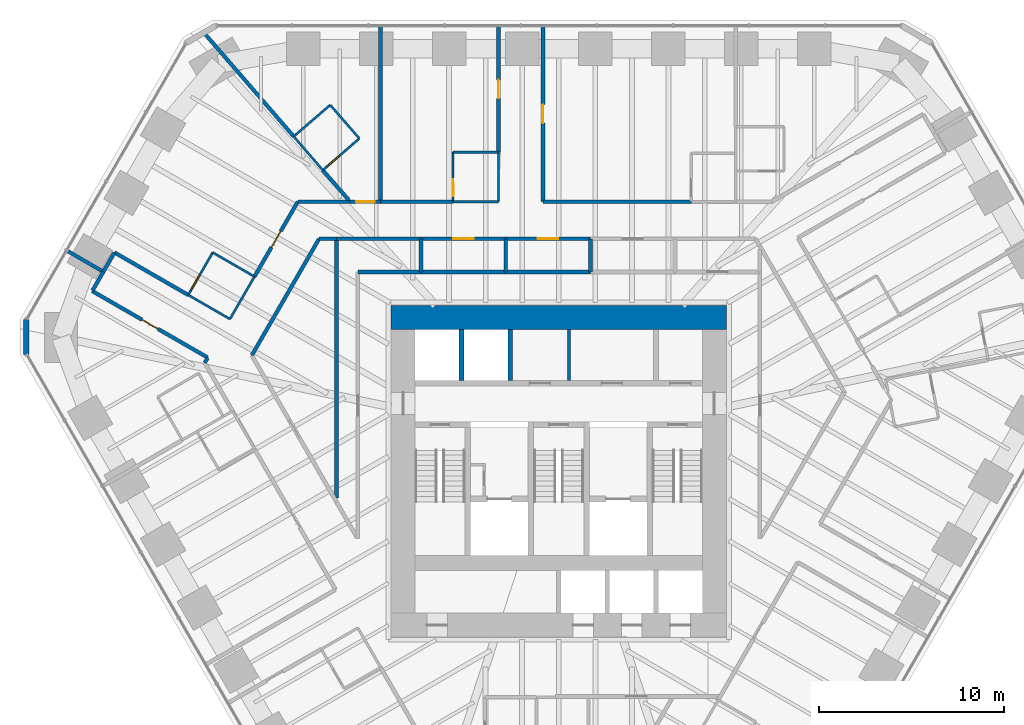
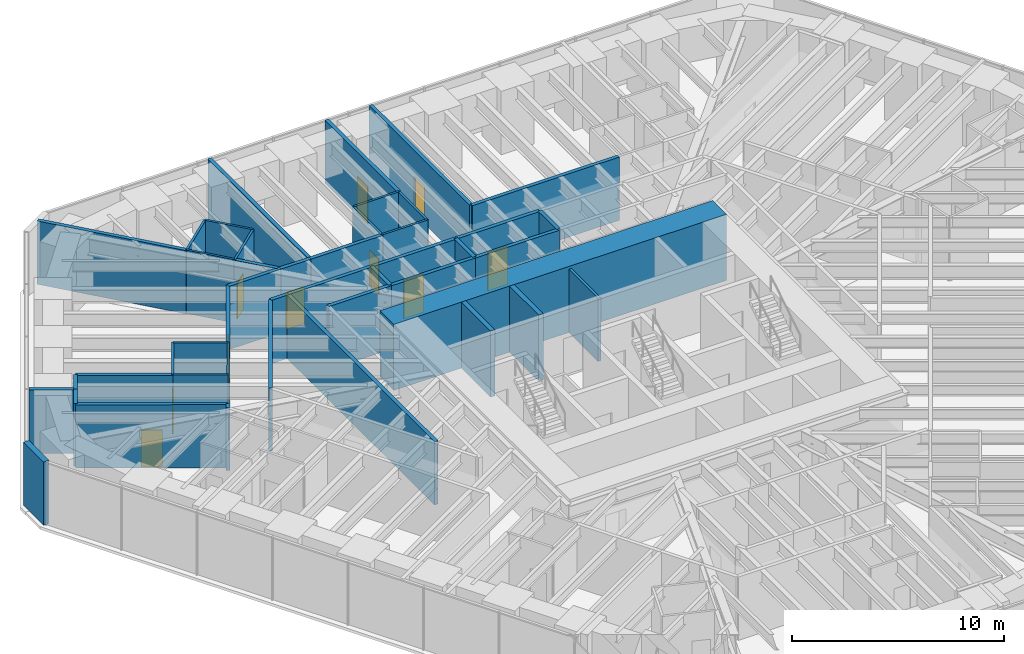
# One storey, part 14 of 17: 45 walls, 10 doors, 10 openings.
"""IFC4 building model written with IfcOpenShell, lengths in metres."""

from ifc_helpers import new_model, si_unit, direction, frame, frame_2d, origin, place, context, subcontext, project, spatial, rectangle, extrude, material, layer, layer_set, type_object, element, fill, save


model = new_model("IFC4")

# Units and contexts
model_context = context("Model", 3, precision=1e-05, world=origin(), true_north=direction((0.0, 1.0)))
body_context = subcontext(model_context, "Body", "Model", "MODEL_VIEW")
ifc_project = project(units=[si_unit("LENGTHUNIT", "METRE"), si_unit("AREAUNIT", "SQUARE_METRE"), si_unit("VOLUMEUNIT", "CUBIC_METRE"), si_unit("PLANEANGLEUNIT", "RADIAN"), si_unit("MASSUNIT", "GRAM", prefix="KILO")], contexts=[model_context])

# Site, building, storey
site_placement = place(None, origin())
site = spatial("IfcSite", under=ifc_project, at=site_placement, CompositionType="ELEMENT")
building_placement = place(site_placement, origin())
building = spatial("IfcBuilding", under=site, at=building_placement, Name="Sandreach Pilgrim Tower", CompositionType="ELEMENT")
storey_placement = place(building_placement, frame((0.0, 0.0, 146.199951171875)))
storey = spatial("IfcBuildingStorey", under=building, at=storey_placement, Name="L36", CompositionType="ELEMENT", Elevation=146.199951171875)

# Walls
ifc_material_1 = material(Name="Gypsum board on steel studs", Category="steel")
ifc_layer_1 = layer(ifc_material_1, 0.14990234375)
ifc_layer_set_1 = layer_set([ifc_layer_1], Name="Back of house wall 150")
wall_type_1 = type_object("IfcWallType", Name="Back of house wall 150", PredefinedType="PARTITIONING", material=ifc_layer_set_1)
wall_1_placement = place(storey_placement, frame((0.550048828125, 3.35009765625, 0.0), z_axis=(0.0, 0.0, 1.0), x_axis=(0.0, 1.0, 0.0)))
element("IfcWall", 1, at=wall_1_placement, inside=storey, type_object=wall_type_1, Name="Core room partition L36 1", PredefinedType="PARTITIONING", context=body_context, shape_type="SweptSolid", body=[
    extrude(rectangle(XDim=2.75, YDim=0.14990234375, at=frame_2d((1.375, 0.0))), origin(), (0.0, 0.0, 1.0), 3.64013671875),
])
ifc_material_2 = material(Name="Moisture-resistant gypsum board on steel studs", Category="steel")
ifc_layer_2 = layer(ifc_material_2, 0.1201171875)
ifc_layer_set_2 = layer_set([ifc_layer_2], Name="Bathroom partition 120")
wall_type_2 = type_object("IfcWallType", Name="Bathroom partition 120", PredefinedType="PARTITIONING", material=ifc_layer_set_2)
wall_2_placement = place(storey_placement, frame((-19.991455078125, 7.95751953125, 0.0), z_axis=(0.0, 0.0, 1.0), x_axis=(0.866404475641, -0.499342852747, 0.0)))
element("IfcWall", 2, at=wall_2_placement, inside=storey, type_object=wall_type_2, Name="Bathroom partition L36-009", PredefinedType="PARTITIONING", context=body_context, shape_type="SweptSolid", body=[
    extrude(rectangle(XDim=2.5986328125, YDim=0.1201171875, at=frame_2d((1.29931640625, 0.0))), origin(), (0.0, 0.0, 1.0), 3.64013671875),
])

# Wall, opening, door
wall_3_placement = place(storey_placement, frame((-18.669921875, 10.25, 0.0), z_axis=(0.0, 0.0, 1.0), x_axis=(-0.499407914056, -0.866366975004, 0.0)))
wall_3 = element("IfcWall", 3, at=wall_3_placement, inside=storey, type_object=wall_type_2, Name="Bathroom partition L36-016", PredefinedType="PARTITIONING", context=body_context, shape_type="SweptSolid", body=[
    extrude(rectangle(XDim=2.643310546875, YDim=0.1201171875, at=frame_2d((1.32177734375, 0.0))), origin(), (0.0, 0.0, 1.0), 3.64013671875),
])
opening_1_placement = place(wall_3_placement, frame((1.443115234375, 0.0, 0.0)))
opening_1 = element("IfcOpeningElement", 4, at=opening_1_placement, cuts=wall_3, Name="Opening D09-15B", PredefinedType="OPENING", context=body_context, shape_type="SweptSolid", body=[
    extrude(rectangle(XDim=0.89990234375, YDim=2.030029296875, at=frame_2d((0.449951171875, 1.01513671875))), frame((0.0, 0.06005859375, 0.0), z_axis=(0.0, -1.0, 0.0), x_axis=(1.0, 0.0, 0.0)), (0.0, 0.0, 1.0), 0.1201171875),
])
ifc_material_3 = material(Name="Timber door, steel frame", Category="steel")
door_type_1 = type_object("IfcDoorType", Name="Bathroom door", OperationType="SINGLE_SWING_LEFT", PredefinedType="DOOR", material=ifc_material_3)
door_1_placement = place(opening_1_placement, origin())
door_1 = element("IfcDoor", 5, at=door_1_placement, inside=storey, type_object=door_type_1, Name="Door 3615B", OperationType="SINGLE_SWING_RIGHT", OverallHeight=2.030029296875, OverallWidth=0.89990234375, PredefinedType="DOOR", context=body_context, shape_type="SweptSolid", body=[
    extrude(rectangle(XDim=0.89990234375, YDim=2.030029296875, at=frame_2d((0.449951171875, 1.01513671875))), frame((0.0, 0.02490234375, 0.0), z_axis=(0.0, -1.0, 0.0), x_axis=(1.0, 0.0, 0.0)), (0.0, 0.0, 1.0), 0.050048828125),
])
fill(opening_1, door_1)

# Walls
wall_4_placement = place(storey_placement, frame((-17.739990234375, 6.659912109375, 0.0), z_axis=(0.0, 0.0, 1.0), x_axis=(0.500519174073, 0.865725450929, 0.0)))
element("IfcWall", 6, at=wall_4_placement, inside=storey, type_object=wall_type_2, Name="Bathroom partition L36-021", PredefinedType="PARTITIONING", context=body_context, shape_type="SweptSolid", body=[
    extrude(rectangle(XDim=2.643310546875, YDim=0.1201171875, at=frame_2d((1.32177734375, 0.0))), origin(), (0.0, 0.0, 1.0), 3.64013671875),
])
wall_5_placement = place(storey_placement, frame((-16.419921875, 8.949951171875, 0.0), z_axis=(0.0, 0.0, 1.0), x_axis=(-0.865856933682, 0.500291685314, 0.0)))
element("IfcWall", 7, at=wall_5_placement, inside=storey, type_object=wall_type_2, Name="Bathroom partition L36-024", PredefinedType="PARTITIONING", context=body_context, shape_type="SweptSolid", body=[
    extrude(rectangle(XDim=2.5986328125, YDim=0.1201171875, at=frame_2d((1.29931640625, 0.0))), origin(), (0.0, 0.0, 1.0), 3.64013671875),
])
wall_6_placement = place(storey_placement, frame((-14.300048828125, 16.510009765625, 0.0), z_axis=(0.0, 0.0, 1.0), x_axis=(0.653188728136, -0.757195143563, 0.0)))
element("IfcWall", 8, at=wall_6_placement, inside=storey, type_object=wall_type_2, Name="Bathroom partition L36-027", PredefinedType="PARTITIONING", context=body_context, shape_type="SweptSolid", body=[
    extrude(rectangle(XDim=2.40380859375, YDim=0.1201171875, at=frame_2d((1.201904296875, 0.0))), origin(), (0.0, 0.0, 1.0), 3.64013671875),
])

# Wall, opening, door
wall_7_placement = place(storey_placement, frame((-12.72998046875, 14.68994140625, 0.0), z_axis=(0.0, 0.0, 1.0), x_axis=(0.755185511235, 0.655511131576, 0.0)))
wall_7 = element("IfcWall", 9, at=wall_7_placement, inside=storey, type_object=wall_type_2, Name="Bathroom partition L36-033", PredefinedType="PARTITIONING", context=body_context, shape_type="SweptSolid", body=[
    extrude(rectangle(XDim=2.608642578125, YDim=0.1201171875, at=frame_2d((1.30419921875, 0.0))), origin(), (0.0, 0.0, 1.0), 3.64013671875),
])
opening_2_placement = place(wall_7_placement, frame((0.300048828125, 0.0, 0.0)))
opening_2 = element("IfcOpeningElement", 10, at=opening_2_placement, cuts=wall_7, Name="Opening D09-01B", PredefinedType="OPENING", context=body_context, shape_type="SweptSolid", body=[
    extrude(rectangle(XDim=0.89990234375, YDim=2.030029296875, at=frame_2d((0.449951171875, 1.01513671875))), frame((0.0, 0.06005859375, 0.0), z_axis=(0.0, -1.0, 0.0), x_axis=(1.0, 0.0, 0.0)), (0.0, 0.0, 1.0), 0.1201171875),
])
door_2_placement = place(opening_2_placement, origin())
door_2 = element("IfcDoor", 11, at=door_2_placement, inside=storey, type_object=door_type_1, Name="Door 3601B", OperationType="SINGLE_SWING_LEFT", OverallHeight=2.030029296875, OverallWidth=0.89990234375, PredefinedType="DOOR", context=body_context, shape_type="SweptSolid", body=[
    extrude(rectangle(XDim=0.89990234375, YDim=2.030029296875, at=frame_2d((0.449951171875, 1.01513671875))), frame((0.0, 0.02490234375, 0.0), z_axis=(0.0, -1.0, 0.0), x_axis=(1.0, 0.0, 0.0)), (0.0, 0.0, 1.0), 0.050048828125),
])
fill(opening_2, door_2)

# Walls
wall_8_placement = place(storey_placement, frame((-12.330078125, 18.2099609375, 0.0), z_axis=(0.0, 0.0, 1.0), x_axis=(-0.757086659925, -0.653314464377, 0.0)))
element("IfcWall", 12, at=wall_8_placement, inside=storey, type_object=wall_type_2, Name="Bathroom partition L36-034", PredefinedType="PARTITIONING", context=body_context, shape_type="SweptSolid", body=[
    extrude(rectangle(XDim=2.60205078125, YDim=0.1201171875, at=frame_2d((1.301025390625, 0.0))), origin(), (0.0, 0.0, 1.0), 3.64013671875),
])
wall_9_placement = place(storey_placement, frame((-10.760009765625, 16.39990234375, 0.0), z_axis=(0.0, 0.0, 1.0), x_axis=(-0.655252439976, 0.755409981338, 0.0)))
element("IfcWall", 13, at=wall_9_placement, inside=storey, type_object=wall_type_2, Name="Bathroom partition L36-044", PredefinedType="PARTITIONING", context=body_context, shape_type="SweptSolid", body=[
    extrude(rectangle(XDim=2.396240234375, YDim=0.1201171875, at=frame_2d((1.1982421875, 0.0))), origin(), (0.0, 0.0, 1.0), 3.64013671875),
])

# Wall, opening, door
wall_10_placement = place(storey_placement, frame((-5.7099609375, 15.659912109375, 0.0), z_axis=(0.0, 0.0, 1.0), x_axis=(0.003749059241, -0.999992972253, 0.0)))
wall_10 = element("IfcWall", 14, at=wall_10_placement, inside=storey, type_object=wall_type_2, Name="Bathroom partition L36-059", PredefinedType="PARTITIONING", context=body_context, shape_type="SweptSolid", body=[
    extrude(rectangle(XDim=2.669921875, YDim=0.1201171875, at=frame_2d((1.3349609375, 0.0))), origin(), (0.0, 0.0, 1.0), 3.64013671875),
])
opening_3_placement = place(wall_10_placement, frame((1.469970703125, 0.0, 0.0)))
opening_3 = element("IfcOpeningElement", 15, at=opening_3_placement, cuts=wall_10, Name="Opening D09-02B", PredefinedType="OPENING", context=body_context, shape_type="SweptSolid", body=[
    extrude(rectangle(XDim=0.89990234375, YDim=2.030029296875, at=frame_2d((0.449951171875, 1.01513671875))), frame((0.0, 0.06005859375, 0.0), z_axis=(0.0, -1.0, 0.0), x_axis=(1.0, 0.0, 0.0)), (0.0, 0.0, 1.0), 0.1201171875),
])
door_3_placement = place(opening_3_placement, origin())
door_3 = element("IfcDoor", 16, at=door_3_placement, inside=storey, type_object=door_type_1, Name="Door 3602B", OperationType="SINGLE_SWING_RIGHT", OverallHeight=2.030029296875, OverallWidth=0.89990234375, PredefinedType="DOOR", context=body_context, shape_type="SweptSolid", body=[
    extrude(rectangle(XDim=0.89990234375, YDim=2.030029296875, at=frame_2d((0.449951171875, 1.01513671875))), frame((0.0, 0.02490234375, 0.0), z_axis=(0.0, -1.0, 0.0), x_axis=(1.0, 0.0, 0.0)), (0.0, 0.0, 1.0), 0.050048828125),
])
fill(opening_3, door_3)

# Walls
wall_11_placement = place(storey_placement, frame((-3.25, 12.989990234375, 0.0), z_axis=(0.0, 0.0, 1.0), x_axis=(-1.0, 0.0, 0.0)))
element("IfcWall", 17, at=wall_11_placement, inside=storey, type_object=wall_type_2, Name="Bathroom partition L36-065", PredefinedType="PARTITIONING", context=body_context, shape_type="SweptSolid", body=[
    extrude(rectangle(XDim=2.449951171875, YDim=0.1201171875, at=frame_2d((1.22509765625, 0.0))), origin(), (0.0, 0.0, 1.0), 3.64013671875),
])
wall_12_placement = place(storey_placement, frame((-3.25, 15.659912109375, 0.0), z_axis=(0.0, 0.0, 1.0), x_axis=(-1.0, 0.0, 0.0)))
element("IfcWall", 18, at=wall_12_placement, inside=storey, type_object=wall_type_2, Name="Bathroom partition L36-066", PredefinedType="PARTITIONING", context=body_context, shape_type="SweptSolid", body=[
    extrude(rectangle(XDim=2.4599609375, YDim=0.1201171875, at=frame_2d((1.22998046875, 0.0))), origin(), (0.0, 0.0, 1.0), 3.64013671875),
])
wall_13_placement = place(storey_placement, frame((-3.25, 15.659912109375, 0.0), z_axis=(0.0, 0.0, 1.0), x_axis=(0.0, -1.0, 0.0)))
element("IfcWall", 19, at=wall_13_placement, inside=storey, type_object=wall_type_2, Name="Bathroom partition L36-067", PredefinedType="PARTITIONING", context=body_context, shape_type="SweptSolid", body=[
    extrude(rectangle(XDim=2.669921875, YDim=0.1201171875, at=frame_2d((1.3349609375, 0.0))), origin(), (0.0, 0.0, 1.0), 3.64013671875),
])
ifc_material_4 = material(Name="Concrete 10000 psi", Category="concrete")
ifc_layer_3 = layer(ifc_material_4, 1.300048828125)
ifc_layer_set_3 = layer_set([ifc_layer_3], Name="Core wall 1300")
wall_type_3 = type_object("IfcWallType", Name="Core wall 1300", PredefinedType="SHEAR", material=ifc_layer_set_3)
wall_14_placement = place(storey_placement, frame((-9.050048828125, 6.75, 0.0), z_axis=(0.0, 0.0, 1.0), x_axis=(1.0, 0.0, 0.0)))
element("IfcWall", 20, at=wall_14_placement, inside=storey, type_object=wall_type_3, Name="Core wall N L36", PredefinedType="SHEAR", context=body_context, shape_type="SweptSolid", body=[
    extrude(rectangle(XDim=18.10009765625, YDim=1.300048828125, at=frame_2d((9.050048828125, 0.0))), origin(), (0.0, 0.0, 1.0), 3.800048828125),
])

# Wall, opening, door
ifc_material_5 = material(Name="Gypsum board on steel studs, two layers each side", Category="steel")
ifc_layer_4 = layer(ifc_material_5, 0.199951171875)
ifc_layer_set_4 = layer_set([ifc_layer_4], Name="Corridor wall 200")
wall_type_4 = type_object("IfcWallType", Name="Corridor wall 200", PredefinedType="PARTITIONING", material=ifc_layer_set_4)
wall_15_placement = place(storey_placement, frame((-25.169921875, 8.169921875, 0.0), z_axis=(0.0, 0.0, 1.0), x_axis=(0.866448885678, -0.499265789443, 0.0)))
wall_15 = element("IfcWall", 21, at=wall_15_placement, inside=storey, type_object=wall_type_4, Name="Corridor wall L36-002", PredefinedType="PARTITIONING", context=body_context, shape_type="SweptSolid", body=[
    extrude(rectangle(XDim=7.190185546875, YDim=0.199951171875, at=frame_2d((3.59521484375, 0.0))), origin(), (0.0, 0.0, 1.0), 3.64013671875),
])
opening_4_placement = place(wall_15_placement, frame((3.09521484375, 0.0, 0.0)))
opening_4 = element("IfcOpeningElement", 22, at=opening_4_placement, cuts=wall_15, Name="Opening D10-14", PredefinedType="OPENING", context=body_context, shape_type="SweptSolid", body=[
    extrude(rectangle(XDim=1.0, YDim=2.1298828125, at=frame_2d((0.5, 1.06494140625))), frame((0.0, 0.10009765625, 0.0), z_axis=(0.0, -1.0, 0.0), x_axis=(1.0, 0.0, 0.0)), (0.0, 0.0, 1.0), 0.199951171875),
])
ifc_material_6 = material(Name="Steel door and frame", Category="steel")
door_type_2 = type_object("IfcDoorType", Name="Guest room entry door", OperationType="SINGLE_SWING_LEFT", PredefinedType="DOOR", material=ifc_material_6)
door_4_placement = place(opening_4_placement, origin())
door_4 = element("IfcDoor", 23, at=door_4_placement, inside=storey, type_object=door_type_2, Name="Door 3614", OperationType="SINGLE_SWING_LEFT", OverallHeight=2.1298828125, OverallWidth=1.0, PredefinedType="DOOR", context=body_context, shape_type="SweptSolid", body=[
    extrude(rectangle(XDim=1.0, YDim=2.1298828125, at=frame_2d((0.5, 1.06494140625))), frame((0.0, 0.02490234375, 0.0), z_axis=(0.0, -1.0, 0.0), x_axis=(1.0, 0.0, 0.0)), (0.0, 0.0, 1.0), 0.050048828125),
])
fill(opening_4, door_4)

# Walls
wall_16_placement = place(storey_placement, frame((-25.16259765625, 8.18310546875, 0.0), z_axis=(0.0, 0.0, 1.0), x_axis=(0.499793761865, 0.866144442689, 0.0)))
element("IfcWall", 24, at=wall_16_placement, inside=storey, type_object=wall_type_4, Name="Corridor wall L36-003", PredefinedType="PARTITIONING", context=body_context, shape_type="SweptSolid", body=[
    extrude(rectangle(XDim=1.185546875, YDim=0.199951171875, at=frame_2d((0.5927734375, 0.0))), origin(), (0.0, 0.0, 1.0), 3.64013671875),
])
wall_17_placement = place(storey_placement, frame((-24.570068359375, 9.2099609375, 0.0), z_axis=(0.0, 0.0, 1.0), x_axis=(0.499734288277, 0.866178758179, 0.0)))
element("IfcWall", 25, at=wall_17_placement, inside=storey, type_object=wall_type_4, Name="Corridor wall L36-004", PredefinedType="PARTITIONING", context=body_context, shape_type="SweptSolid", body=[
    extrude(rectangle(XDim=1.190673828125, YDim=0.199951171875, at=frame_2d((0.59521484375, 0.0))), origin(), (0.0, 0.0, 1.0), 3.64013671875),
])
wall_18_placement = place(storey_placement, frame((-23.969970703125, 10.25, 0.0), z_axis=(0.0, 0.0, 1.0), x_axis=(0.86645101645, -0.499262091585, 0.0)))
element("IfcWall", 26, at=wall_18_placement, inside=storey, type_object=wall_type_4, Name="Corridor wall L36-006", PredefinedType="PARTITIONING", context=body_context, shape_type="SweptSolid", body=[
    extrude(rectangle(XDim=4.591796875, YDim=0.199951171875, at=frame_2d((2.2958984375, 0.0))), origin(), (0.0, 0.0, 1.0), 3.64013671875),
])
wall_19_placement = place(storey_placement, frame((-18.945068359375, 4.5712890625, 0.0), z_axis=(0.0, 0.0, 1.0), x_axis=(-0.496223092577, -0.868195048588, 0.0)))
element("IfcWall", 27, at=wall_19_placement, inside=storey, type_object=wall_type_4, Name="Corridor wall L36-015", PredefinedType="PARTITIONING", context=body_context, shape_type="SweptSolid", body=[
    extrude(rectangle(XDim=0.3125, YDim=0.199951171875, at=frame_2d((0.15625, 0.0))), origin(), (0.0, 0.0, 1.0), 3.64013671875),
])
wall_20_placement = place(storey_placement, frame((-16.56005859375, 4.699951171875, 0.0), z_axis=(0.0, 0.0, 1.0), x_axis=(0.4998524389, 0.866110581465, 0.0)))
element("IfcWall", 28, at=wall_20_placement, inside=storey, type_object=wall_type_4, Name="Corridor wall L36-023", PredefinedType="PARTITIONING", context=body_context, shape_type="SweptSolid", body=[
    extrude(rectangle(XDim=7.262451171875, YDim=0.199951171875, at=frame_2d((3.63134765625, 0.0))), origin(), (0.0, 0.0, 1.0), 3.64013671875),
])

# Wall, opening, door
wall_21_placement = place(storey_placement, frame((-16.4169921875, 8.9482421875, 0.0), z_axis=(0.0, 0.0, 1.0), x_axis=(0.500547653499, 0.865708984923, 0.0)))
wall_21 = element("IfcWall", 29, at=wall_21_placement, inside=storey, type_object=wall_type_4, Name="Corridor wall L36-025", PredefinedType="PARTITIONING", context=body_context, shape_type="SweptSolid", body=[
    extrude(rectangle(XDim=4.668701171875, YDim=0.199951171875, at=frame_2d((2.33447265625, 0.0))), origin(), (0.0, 0.0, 1.0), 3.64013671875),
])
opening_5_placement = place(wall_21_placement, frame((1.834228515625, 0.0, 0.0)))
opening_5 = element("IfcOpeningElement", 30, at=opening_5_placement, cuts=wall_21, Name="Opening D10-15", PredefinedType="OPENING", context=body_context, shape_type="SweptSolid", body=[
    extrude(rectangle(XDim=1.0, YDim=2.1298828125, at=frame_2d((0.5, 1.06494140625))), frame((0.0, 0.10009765625, 0.0), z_axis=(0.0, -1.0, 0.0), x_axis=(1.0, 0.0, 0.0)), (0.0, 0.0, 1.0), 0.199951171875),
])
door_5_placement = place(opening_5_placement, origin())
door_5 = element("IfcDoor", 31, at=door_5_placement, inside=storey, type_object=door_type_2, Name="Door 3615", OperationType="SINGLE_SWING_LEFT", OverallHeight=2.1298828125, OverallWidth=1.0, PredefinedType="DOOR", context=body_context, shape_type="SweptSolid", body=[
    extrude(rectangle(XDim=1.0, YDim=2.1298828125, at=frame_2d((0.5, 1.06494140625))), frame((0.0, 0.02490234375, 0.0), z_axis=(0.0, -1.0, 0.0), x_axis=(1.0, 0.0, 0.0)), (0.0, 0.0, 1.0), 0.050048828125),
])
fill(opening_5, door_5)

# Walls
wall_22_placement = place(storey_placement, frame((-12.929931640625, 10.989990234375, 0.0), z_axis=(0.0, 0.0, 1.0), x_axis=(1.0, 0.0, 0.0)))
element("IfcWall", 32, at=wall_22_placement, inside=storey, type_object=wall_type_4, Name="Corridor wall L36-029", PredefinedType="PARTITIONING", context=body_context, shape_type="SweptSolid", body=[
    extrude(rectangle(XDim=0.93994140625, YDim=0.199951171875, at=frame_2d((0.469970703125, 0.0))), origin(), (0.0, 0.0, 1.0), 3.64013671875),
])
wall_23_placement = place(storey_placement, frame((-11.989990234375, 10.989990234375, 0.0), z_axis=(0.0, 0.0, 1.0), x_axis=(1.0, 0.0, 0.0)))
element("IfcWall", 33, at=wall_23_placement, inside=storey, type_object=wall_type_4, Name="Corridor wall L36-038", PredefinedType="PARTITIONING", context=body_context, shape_type="SweptSolid", body=[
    extrude(rectangle(XDim=4.56005859375, YDim=0.199951171875, at=frame_2d((2.280029296875, 0.0))), origin(), (0.0, 0.0, 1.0), 3.64013671875),
])
wall_24_placement = place(storey_placement, frame((-11.25, 12.989990234375, 0.0), z_axis=(0.0, 0.0, 1.0), x_axis=(-1.0, 0.0, 0.0)))
element("IfcWall", 34, at=wall_24_placement, inside=storey, type_object=wall_type_4, Name="Corridor wall L36-040", PredefinedType="PARTITIONING", context=body_context, shape_type="SweptSolid", body=[
    extrude(rectangle(XDim=2.830078125, YDim=0.199951171875, at=frame_2d((1.4150390625, 0.0))), origin(), (0.0, 0.0, 1.0), 3.64013671875),
])

# Wall, opening, door
wall_25_placement = place(storey_placement, frame((-9.6201171875, 12.989990234375, 0.0), z_axis=(0.0, 0.0, 1.0), x_axis=(-1.0, 0.0, 0.0)))
wall_25 = element("IfcWall", 35, at=wall_25_placement, inside=storey, type_object=wall_type_4, Name="Corridor wall L36-046", PredefinedType="PARTITIONING", context=body_context, shape_type="SweptSolid", body=[
    extrude(rectangle(XDim=1.6298828125, YDim=0.199951171875, at=frame_2d((0.81494140625, 0.0))), origin(), (0.0, 0.0, 1.0), 3.64013671875),
])
opening_6_placement = place(wall_25_placement, frame((0.31494140625, 0.0, 0.0)))
opening_6 = element("IfcOpeningElement", 36, at=opening_6_placement, cuts=wall_25, Name="Opening D10-01", PredefinedType="OPENING", context=body_context, shape_type="SweptSolid", body=[
    extrude(rectangle(XDim=1.0, YDim=2.1298828125, at=frame_2d((0.5, 1.06494140625))), frame((0.0, 0.10009765625, 0.0), z_axis=(0.0, -1.0, 0.0), x_axis=(1.0, 0.0, 0.0)), (0.0, 0.0, 1.0), 0.199951171875),
])
door_6_placement = place(opening_6_placement, origin())
door_6 = element("IfcDoor", 37, at=door_6_placement, inside=storey, type_object=door_type_2, Name="Door 3601", OperationType="SINGLE_SWING_LEFT", OverallHeight=2.1298828125, OverallWidth=1.0, PredefinedType="DOOR", context=body_context, shape_type="SweptSolid", body=[
    extrude(rectangle(XDim=1.0, YDim=2.1298828125, at=frame_2d((0.5, 1.06494140625))), frame((0.0, 0.02490234375, 0.0), z_axis=(0.0, -1.0, 0.0), x_axis=(1.0, 0.0, 0.0)), (0.0, 0.0, 1.0), 0.050048828125),
])
fill(opening_6, door_6)

# Wall
wall_26_placement = place(storey_placement, frame((-7.429931640625, 9.199951171875, 0.0), z_axis=(0.0, 0.0, 1.0), x_axis=(-1.0, 0.0, 0.0)))
element("IfcWall", 38, at=wall_26_placement, inside=storey, type_object=wall_type_4, Name="Corridor wall L36-052", PredefinedType="PARTITIONING", context=body_context, shape_type="SweptSolid", body=[
    extrude(rectangle(XDim=3.41015625, YDim=0.199951171875, at=frame_2d((1.705078125, 0.0))), origin(), (0.0, 0.0, 1.0), 3.64013671875),
])

# Wall, opening, door
wall_27_placement = place(storey_placement, frame((-7.429931640625, 10.989990234375, 0.0), z_axis=(0.0, 0.0, 1.0), x_axis=(1.0, 0.0, 0.0)))
wall_27 = element("IfcWall", 39, at=wall_27_placement, inside=storey, type_object=wall_type_4, Name="Corridor wall L36-054", PredefinedType="PARTITIONING", context=body_context, shape_type="SweptSolid", body=[
    extrude(rectangle(XDim=4.56982421875, YDim=0.199951171875, at=frame_2d((2.284912109375, 0.0))), origin(), (0.0, 0.0, 1.0), 3.64013671875),
])
opening_7_placement = place(wall_27_placement, frame((1.735107421875, 0.0, 0.0)))
opening_7 = element("IfcOpeningElement", 40, at=opening_7_placement, cuts=wall_27, Name="Opening D11H-M03", PredefinedType="OPENING", context=body_context, shape_type="SweptSolid", body=[
    extrude(rectangle(XDim=1.10009765625, YDim=2.199951171875, at=frame_2d((0.550048828125, 1.10009765625))), frame((0.0, 0.10009765625, 0.0), z_axis=(0.0, -1.0, 0.0), x_axis=(1.0, 0.0, 0.0)), (0.0, 0.0, 1.0), 0.199951171875),
])
ifc_material_7 = material(Name="Steel door and frame", Category="steel")
door_type_3 = type_object("IfcDoorType", Name="Back of house door", OperationType="SINGLE_SWING_LEFT", PredefinedType="DOOR", material=ifc_material_7)
door_7_placement = place(opening_7_placement, origin())
door_7 = element("IfcDoor", 41, at=door_7_placement, inside=storey, type_object=door_type_3, Name="Door 36M03", OperationType="SINGLE_SWING_LEFT", OverallHeight=2.199951171875, OverallWidth=1.10009765625, PredefinedType="DOOR", context=body_context, shape_type="SweptSolid", body=[
    extrude(rectangle(XDim=1.10009765625, YDim=2.199951171875, at=frame_2d((0.550048828125, 1.10009765625))), frame((0.0, 0.02490234375, 0.0), z_axis=(0.0, -1.0, 0.0), x_axis=(1.0, 0.0, 0.0)), (0.0, 0.0, 1.0), 0.050048828125),
])
fill(opening_7, door_7)

# Wall
wall_28_placement = place(storey_placement, frame((-5.699951171875, 12.989990234375, 0.0), z_axis=(0.0, 0.0, 1.0), x_axis=(-1.0, 0.0, 0.0)))
element("IfcWall", 42, at=wall_28_placement, inside=storey, type_object=wall_type_4, Name="Corridor wall L36-060", PredefinedType="PARTITIONING", context=body_context, shape_type="SweptSolid", body=[
    extrude(rectangle(XDim=3.920166015625, YDim=0.199951171875, at=frame_2d((1.9599609375, 0.0))), origin(), (0.0, 0.0, 1.0), 3.64013671875),
])

# Wall, opening, door
wall_29_placement = place(storey_placement, frame((-3.25, 22.4599609375, 0.0), z_axis=(0.0, 0.0, 1.0), x_axis=(0.0, -1.0, 0.0)))
wall_29 = element("IfcWall", 43, at=wall_29_placement, inside=storey, type_object=wall_type_4, Name="Corridor wall L36-068", PredefinedType="PARTITIONING", context=body_context, shape_type="SweptSolid", body=[
    extrude(rectangle(XDim=6.800048828125, YDim=0.199951171875, at=frame_2d((3.39990234375, 0.0))), origin(), (0.0, 0.0, 1.0), 3.64013671875),
])
opening_8_placement = place(wall_29_placement, frame((2.89990234375, 0.0, 0.0)))
opening_8 = element("IfcOpeningElement", 44, at=opening_8_placement, cuts=wall_29, Name="Opening D10-02", PredefinedType="OPENING", context=body_context, shape_type="SweptSolid", body=[
    extrude(rectangle(XDim=1.0, YDim=2.1298828125, at=frame_2d((0.5, 1.06494140625))), frame((0.0, 0.10009765625, 0.0), z_axis=(0.0, -1.0, 0.0), x_axis=(1.0, 0.0, 0.0)), (0.0, 0.0, 1.0), 0.199951171875),
])
door_8_placement = place(opening_8_placement, origin())
door_8 = element("IfcDoor", 45, at=door_8_placement, inside=storey, type_object=door_type_2, Name="Door 3602", OperationType="SINGLE_SWING_LEFT", OverallHeight=2.1298828125, OverallWidth=1.0, PredefinedType="DOOR", context=body_context, shape_type="SweptSolid", body=[
    extrude(rectangle(XDim=1.0, YDim=2.1298828125, at=frame_2d((0.5, 1.06494140625))), frame((0.0, 0.02490234375, 0.0), z_axis=(0.0, -1.0, 0.0), x_axis=(1.0, 0.0, 0.0)), (0.0, 0.0, 1.0), 0.050048828125),
])
fill(opening_8, door_8)

# Wall
wall_30_placement = place(storey_placement, frame((-2.860107421875, 9.199951171875, 0.0), z_axis=(0.0, 0.0, 1.0), x_axis=(-1.0, 0.0, 0.0)))
element("IfcWall", 46, at=wall_30_placement, inside=storey, type_object=wall_type_4, Name="Corridor wall L36-069", PredefinedType="PARTITIONING", context=body_context, shape_type="SweptSolid", body=[
    extrude(rectangle(XDim=4.56982421875, YDim=0.199951171875, at=frame_2d((2.284912109375, 0.0))), origin(), (0.0, 0.0, 1.0), 3.64013671875),
])

# Wall, opening, door
wall_31_placement = place(storey_placement, frame((-2.860107421875, 10.989990234375, 0.0), z_axis=(0.0, 0.0, 1.0), x_axis=(1.0, 0.0, 0.0)))
wall_31 = element("IfcWall", 47, at=wall_31_placement, inside=storey, type_object=wall_type_4, Name="Corridor wall L36-071", PredefinedType="PARTITIONING", context=body_context, shape_type="SweptSolid", body=[
    extrude(rectangle(XDim=4.570068359375, YDim=0.199951171875, at=frame_2d((2.28515625, 0.0))), origin(), (0.0, 0.0, 1.0), 3.64013671875),
])
opening_9_placement = place(wall_31_placement, frame((1.735107421875, 0.0, 0.0)))
opening_9 = element("IfcOpeningElement", 48, at=opening_9_placement, cuts=wall_31, Name="Opening D11H-M04", PredefinedType="OPENING", context=body_context, shape_type="SweptSolid", body=[
    extrude(rectangle(XDim=1.10009765625, YDim=2.199951171875, at=frame_2d((0.550048828125, 1.10009765625))), frame((0.0, 0.10009765625, 0.0), z_axis=(0.0, -1.0, 0.0), x_axis=(1.0, 0.0, 0.0)), (0.0, 0.0, 1.0), 0.199951171875),
])
door_9_placement = place(opening_9_placement, origin())
door_9 = element("IfcDoor", 49, at=door_9_placement, inside=storey, type_object=door_type_3, Name="Door 36M04", OperationType="SINGLE_SWING_LEFT", OverallHeight=2.199951171875, OverallWidth=1.10009765625, PredefinedType="DOOR", context=body_context, shape_type="SweptSolid", body=[
    extrude(rectangle(XDim=1.10009765625, YDim=2.199951171875, at=frame_2d((0.550048828125, 1.10009765625))), frame((0.0, 0.02490234375, 0.0), z_axis=(0.0, -1.0, 0.0), x_axis=(1.0, 0.0, 0.0)), (0.0, 0.0, 1.0), 0.050048828125),
])
fill(opening_9, door_9)

wall_32_placement = place(storey_placement, frame((-0.85009765625, 12.989990234375, 0.0), z_axis=(0.0, 0.0, 1.0), x_axis=(0.0, 1.0, 0.0)))
wall_32 = element("IfcWall", 50, at=wall_32_placement, inside=storey, type_object=wall_type_4, Name="Corridor wall L36-075", PredefinedType="PARTITIONING", context=body_context, shape_type="SweptSolid", body=[
    extrude(rectangle(XDim=9.469970703125, YDim=0.199951171875, at=frame_2d((4.73486328125, 0.0))), origin(), (0.0, 0.0, 1.0), 3.64013671875),
])
opening_10_placement = place(wall_32_placement, frame((4.235107421875, 0.0, 0.0)))
opening_10 = element("IfcOpeningElement", 51, at=opening_10_placement, cuts=wall_32, Name="Opening D10-03", PredefinedType="OPENING", context=body_context, shape_type="SweptSolid", body=[
    extrude(rectangle(XDim=1.0, YDim=2.1298828125, at=frame_2d((0.5, 1.06494140625))), frame((0.0, 0.10009765625, 0.0), z_axis=(0.0, -1.0, 0.0), x_axis=(1.0, 0.0, 0.0)), (0.0, 0.0, 1.0), 0.199951171875),
])
door_10_placement = place(opening_10_placement, origin())
door_10 = element("IfcDoor", 52, at=door_10_placement, inside=storey, type_object=door_type_2, Name="Door 3603", OperationType="SINGLE_SWING_LEFT", OverallHeight=2.1298828125, OverallWidth=1.0, PredefinedType="DOOR", context=body_context, shape_type="SweptSolid", body=[
    extrude(rectangle(XDim=1.0, YDim=2.1298828125, at=frame_2d((0.5, 1.06494140625))), frame((0.0, 0.02490234375, 0.0), z_axis=(0.0, -1.0, 0.0), x_axis=(1.0, 0.0, 0.0)), (0.0, 0.0, 1.0), 0.050048828125),
])
fill(opening_10, door_10)

# Walls
wall_33_placement = place(storey_placement, frame((1.7099609375, 9.199951171875, 0.0), z_axis=(0.0, 0.0, 1.0), x_axis=(-1.0, 0.0, 0.0)))
element("IfcWall", 53, at=wall_33_placement, inside=storey, type_object=wall_type_4, Name="Corridor wall L36-080", PredefinedType="PARTITIONING", context=body_context, shape_type="SweptSolid", body=[
    extrude(rectangle(XDim=4.570068359375, YDim=0.199951171875, at=frame_2d((2.28515625, 0.0))), origin(), (0.0, 0.0, 1.0), 3.64013671875),
])
wall_34_placement = place(storey_placement, frame((7.14990234375, 12.989990234375, 0.0), z_axis=(0.0, 0.0, 1.0), x_axis=(-1.0, 0.0, 0.0)))
element("IfcWall", 54, at=wall_34_placement, inside=storey, type_object=wall_type_4, Name="Corridor wall L36-099", PredefinedType="PARTITIONING", context=body_context, shape_type="SweptSolid", body=[
    extrude(rectangle(XDim=7.989990234375, YDim=0.199951171875, at=frame_2d((3.9951171875, 0.0))), origin(), (0.0, 0.0, 1.0), 3.64013671875),
])
ifc_material_8 = material(Name="Double steel stud acoustic wall, gypsum board", Category="steel")
ifc_layer_5 = layer(ifc_material_8, 0.199951171875)
ifc_layer_set_5 = layer_set([ifc_layer_5], Name="Party wall 200")
wall_type_5 = type_object("IfcWallType", Name="Party wall 200", PredefinedType="PARTITIONING", material=ifc_layer_set_5)
wall_35_placement = place(storey_placement, frame((-26.46630859375, 10.309814453125, 0.0), z_axis=(0.0, 0.0, 1.0), x_axis=(0.865037029405, -0.501708020425, 0.0)))
element("IfcWall", 55, at=wall_35_placement, inside=storey, type_object=wall_type_5, Name="Party wall L36-001", PredefinedType="PARTITIONING", context=body_context, shape_type="SweptSolid", body=[
    extrude(rectangle(XDim=2.17724609375, YDim=0.199951171875, at=frame_2d((1.088623046875, 0.0))), origin(), (0.0, 0.0, 1.0), 3.64013671875),
])
wall_36_placement = place(storey_placement, frame((-19.160400390625, 22.127197265625, 0.0), z_axis=(0.0, 0.0, 1.0), x_axis=(0.654324699903, -0.756213717871, 0.0)))
element("IfcWall", 56, at=wall_36_placement, inside=storey, type_object=wall_type_5, Name="Party wall L36-013", PredefinedType="PARTITIONING", context=body_context, shape_type="SweptSolid", body=[
    extrude(rectangle(XDim=7.427978515625, YDim=0.199951171875, at=frame_2d((3.7138671875, 0.0))), origin(), (0.0, 0.0, 1.0), 3.64013671875),
])
wall_37_placement = place(storey_placement, frame((-12.72998046875, 14.68994140625, 0.0), z_axis=(0.0, 0.0, 1.0), x_axis=(0.656624063312, -0.754218031792, 0.0)))
element("IfcWall", 57, at=wall_37_placement, inside=storey, type_object=wall_type_5, Name="Party wall L36-032", PredefinedType="PARTITIONING", context=body_context, shape_type="SweptSolid", body=[
    extrude(rectangle(XDim=2.143798828125, YDim=0.199951171875, at=frame_2d((1.07177734375, 0.0))), origin(), (0.0, 0.0, 1.0), 3.64013671875),
])
wall_38_placement = place(storey_placement, frame((-11.989990234375, 10.97998046875, 0.0), z_axis=(0.0, 0.0, 1.0), x_axis=(0.0, -1.0, 0.0)))
element("IfcWall", 58, at=wall_38_placement, inside=storey, type_object=wall_type_5, Name="Party wall L36-037", PredefinedType="PARTITIONING", context=body_context, shape_type="SweptSolid", body=[
    extrude(rectangle(XDim=13.97998046875, YDim=0.199951171875, at=frame_2d((6.989990234375, 0.0))), origin(), (0.0, 0.0, 1.0), 3.64013671875),
])
wall_39_placement = place(storey_placement, frame((-9.6201171875, 22.4599609375, 0.0), z_axis=(0.0, 0.0, 1.0), x_axis=(0.0, -1.0, 0.0)))
element("IfcWall", 59, at=wall_39_placement, inside=storey, type_object=wall_type_5, Name="Party wall L36-047", PredefinedType="PARTITIONING", context=body_context, shape_type="SweptSolid", body=[
    extrude(rectangle(XDim=9.455078125, YDim=0.199951171875, at=frame_2d((4.7275390625, 0.0))), origin(), (0.0, 0.0, 1.0), 3.64013671875),
])
wall_40_placement = place(storey_placement, frame((-7.429931640625, 10.97509765625, 0.0), z_axis=(0.0, 0.0, 1.0), x_axis=(0.0, -1.0, 0.0)))
element("IfcWall", 60, at=wall_40_placement, inside=storey, type_object=wall_type_5, Name="Party wall L36-053", PredefinedType="PARTITIONING", context=body_context, shape_type="SweptSolid", body=[
    extrude(rectangle(XDim=1.76513671875, YDim=0.199951171875, at=frame_2d((0.882568359375, 0.0))), origin(), (0.0, 0.0, 1.0), 3.64013671875),
])
for number, where, z_axis, x_axis, name in (
    (61, (-2.860107421875, 10.97998046875, 0.0), (0.0, 0.0, 1.0), (0.0, -1.0, 0.0), "Party wall L36-070"),
    (62, (1.7099609375, 10.97998046875, 0.0), (0.0, 0.0, 1.0), (0.0, -1.0, 0.0), "Party wall L36-081"),
):
    element("IfcWall", number, at=place(storey_placement, frame(where, z_axis=z_axis, x_axis=x_axis)), inside=storey, type_object=wall_type_5, Name=name, PredefinedType="PARTITIONING", context=body_context, shape_type="SweptSolid", body=[
        extrude(rectangle(XDim=1.77001953125, YDim=0.199951171875, at=frame_2d((0.885009765625, 0.0))), origin(), (0.0, 0.0, 1.0), 3.64013671875),
    ])
ifc_material_9 = material(Name="Gypsum shaft wall on steel studs, two layers of shaft liner board", Category="steel")
ifc_layer_6 = layer(ifc_material_9, 0.25)
ifc_layer_set_6 = layer_set([ifc_layer_6], Name="Shaft partition 250")
wall_type_6 = type_object("IfcWallType", Name="Shaft partition 250", PredefinedType="PARTITIONING", material=ifc_layer_set_6)
for number, where, z_axis, x_axis, name in (
    (63, (-5.25, 3.35009765625, 0.0), (0.0, 0.0, 1.0), (0.0, 1.0, 0.0), "Shaft partition NS0 L36"),
    (64, (-2.625, 3.35009765625, 0.0), (0.0, 0.0, 1.0), (0.0, 1.0, 0.0), "Shaft partition NS1 L36"),
):
    element("IfcWall", number, at=place(storey_placement, frame(where, z_axis=z_axis, x_axis=x_axis)), inside=storey, type_object=wall_type_6, Name=name, PredefinedType="PARTITIONING", context=body_context, shape_type="SweptSolid", body=[
        extrude(rectangle(XDim=2.75, YDim=0.25, at=frame_2d((1.375, 0.0))), origin(), (0.0, 0.0, 1.0), 3.800048828125),
    ])
ifc_material_10 = material(Name="Terracotta rainscreen on concrete", Category="masonry")
ifc_layer_7 = layer(ifc_material_10, 0.300048828125)
ifc_layer_set_7 = layer_set([ifc_layer_7], Name="Terracotta chamfer pier")
wall_type_7 = type_object("IfcWallType", Name="Terracotta chamfer pier", PredefinedType="SOLIDWALL", material=ifc_layer_set_7)
wall_41_placement = place(storey_placement, frame((-28.720947265625, 4.758544921875, 0.0), z_axis=(0.0, 0.0, 1.0), x_axis=(0.0, 1.0, 0.0)))
element("IfcWall", 65, at=wall_41_placement, inside=storey, type_object=wall_type_7, Name="Chamfer pier L36 SW", PredefinedType="SOLIDWALL", context=body_context, shape_type="SweptSolid", body=[
    extrude(rectangle(XDim=1.8798828125, YDim=0.300048828125, at=frame_2d((0.93994140625, 0.0))), origin(), (0.0, 0.0, 1.0), 3.64013671875),
])

save(model, "model.ifc")
